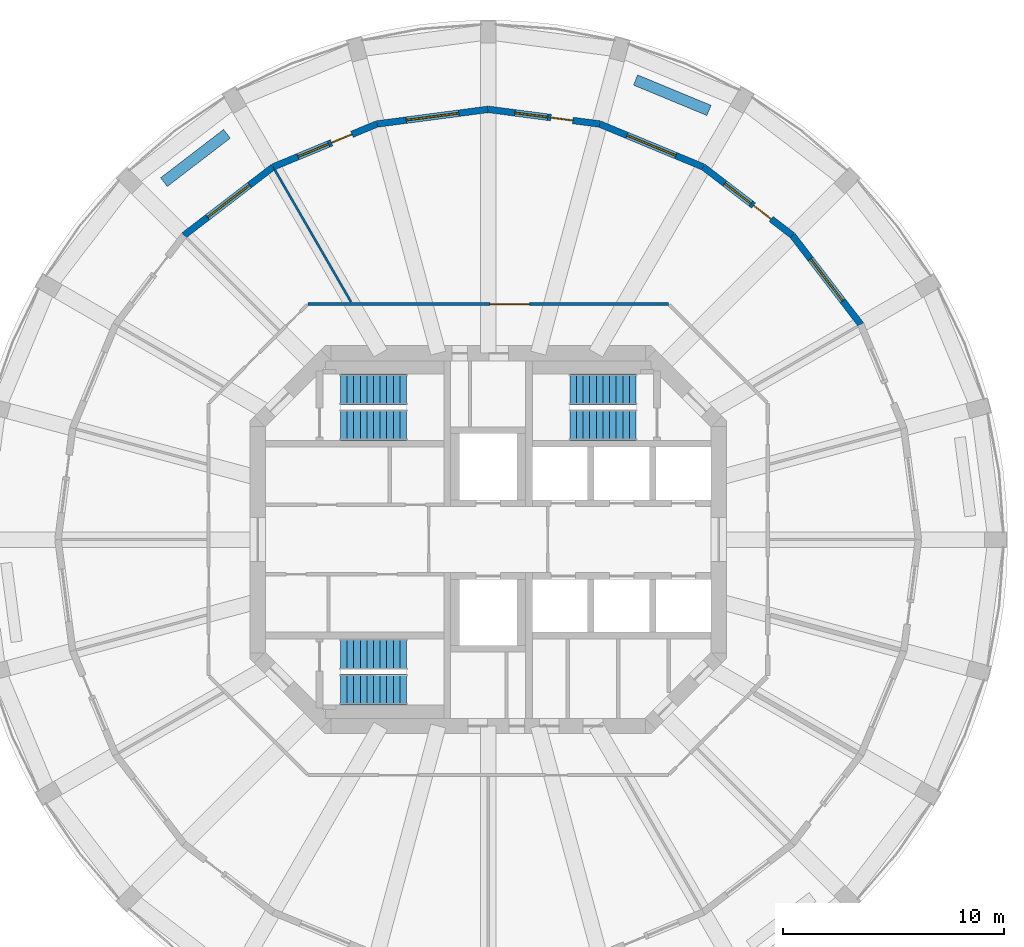
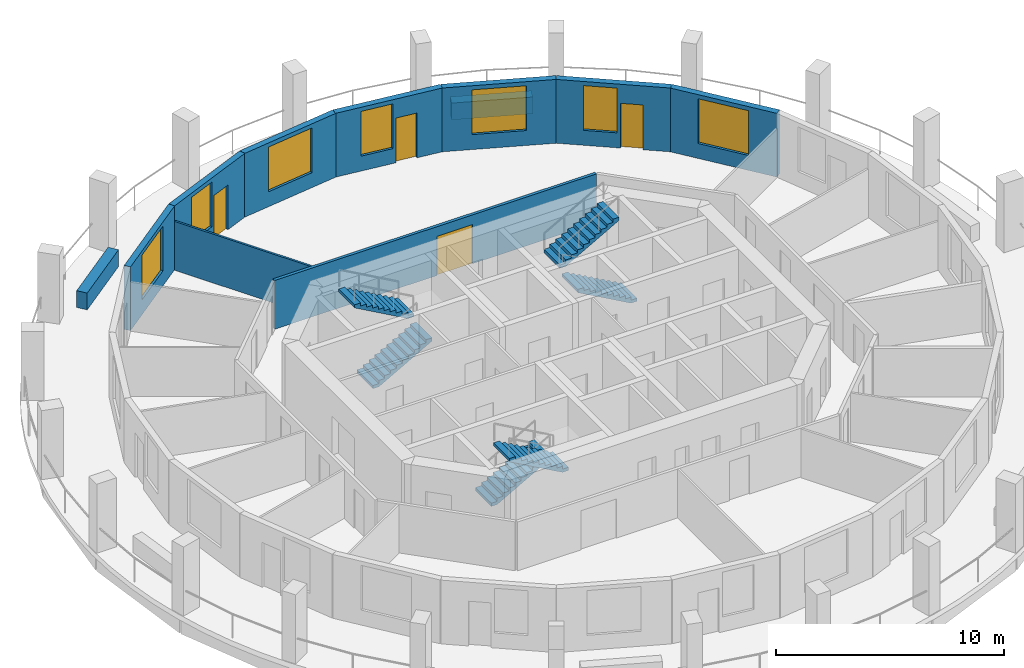
# One storey, part 6 of 8: 11 walls, 7 windows, 6 stair flights, 4 doors, 11 openings, 3 elements without a shape of their own.
"""IFC4 building model written with IfcOpenShell, lengths in metres."""

from ifc_helpers import new_model, si_unit, direction, frame, frame_2d, origin, place, context, subcontext, project, spatial, polyline, rectangle, outline, extrude, material, layer, layer_set, type_object, element, fill, aggregate, save


model = new_model("IFC4")

# Units and contexts
model_context = context("Model", 3, precision=1e-05, world=origin(), true_north=direction((0.0, 1.0)))
body_context = subcontext(model_context, "Body", "Model", "MODEL_VIEW")
ifc_project = project(units=[si_unit("LENGTHUNIT", "METRE"), si_unit("AREAUNIT", "SQUARE_METRE"), si_unit("VOLUMEUNIT", "CUBIC_METRE"), si_unit("PLANEANGLEUNIT", "RADIAN"), si_unit("MASSUNIT", "GRAM", prefix="KILO")], contexts=[model_context])

# Site, building, storey
site_placement = place(None, origin())
site = spatial("IfcSite", under=ifc_project, at=site_placement, CompositionType="ELEMENT")
building_placement = place(site_placement, origin())
building = spatial("IfcBuilding", under=site, at=building_placement, Name="Torre Triforio", CompositionType="ELEMENT")
storey_placement = place(building_placement, frame((0.0, 0.0, 200.199951171875)))
storey = spatial("IfcBuildingStorey", under=building, at=storey_placement, Name="L45", CompositionType="ELEMENT", Elevation=200.199951171875)

# Wall, opening, door
ifc_material_1 = material(Name="Plasterboard on metal studs")
ifc_layer_1 = layer(ifc_material_1, 0.14990234375)
ifc_layer_set_1 = layer_set([ifc_layer_1], Name="Plasterboard on metal studs")
wall_type_1 = type_object("IfcWallType", Name="Corridor and tenancy wall 150 mm EI 60", PredefinedType="PARTITIONING", material=ifc_layer_set_1)
wall_1_placement = place(storey_placement, frame((-8.16650390625, 10.675048828125, 0.0), z_axis=(0.0, 0.0, 1.0), x_axis=(1.0, 0.0, 0.0)))
wall_1 = element("IfcWall", 1, at=wall_1_placement, inside=storey, type_object=wall_type_1, Name="Partition 7", PredefinedType="PARTITIONING", context=body_context, shape_type="SweptSolid", body=[
    extrude(rectangle(XDim=16.3330078125, YDim=0.14990234375, at=frame_2d((8.16650390625, 0.0))), origin(), (0.0, 0.0, 1.0), 2.6201171875),
])
opening_1_placement = place(wall_1_placement, frame((8.239501953125, 0.0, 0.0)))
opening_1 = element("IfcOpeningElement", 2, at=opening_1_placement, cuts=wall_1, Name="Opening O4-01", PredefinedType="OPENING", context=body_context, shape_type="SweptSolid", body=[
    extrude(rectangle(XDim=1.800048828125, YDim=2.10009765625, at=frame_2d((0.89990234375, 1.050048828125))), frame((0.0, 0.0849609375, 0.0), z_axis=(0.0, -1.0, 0.0), x_axis=(1.0, 0.0, 0.0)), (0.0, 0.0, 1.0), 0.169921875),
])
ifc_material_2 = material(Name="Timber", Category="wood")
door_type_1 = type_object("IfcDoorType", Name="Door 1800 x 2100 double leaf EI 30", OperationType="DOUBLE_DOOR_SINGLE_SWING", PredefinedType="DOOR", material=ifc_material_2)
door_1_placement = place(opening_1_placement, origin())
door_1 = element("IfcDoor", 3, at=door_1_placement, inside=storey, type_object=door_type_1, Name="Door O4-01", OperationType="DOUBLE_DOOR_SINGLE_SWING", OverallHeight=2.10009765625, OverallWidth=1.800048828125, PredefinedType="DOOR", context=body_context, shape_type="SweptSolid", body=[
    extrude(rectangle(XDim=1.800048828125, YDim=2.10009765625, at=frame_2d((0.89990234375, 1.050048828125))), frame((0.0, 0.02490234375, 0.0), z_axis=(0.0, -1.0, 0.0), x_axis=(1.0, 0.0, 0.0)), (0.0, 0.0, 1.0), 0.050048828125),
])
fill(opening_1, door_1)

# Walls
ifc_layer_2 = layer(ifc_material_1, 0.10009765625)
ifc_layer_set_2 = layer_set([ifc_layer_2], Name="Plasterboard on metal studs")
wall_type_2 = type_object("IfcWallType", Name="Partition 100 mm board on metal studs", PredefinedType="PARTITIONING", material=ifc_layer_set_2)
wall_2_placement = place(storey_placement, frame((-6.220703125, 10.774658203125, 0.0), z_axis=(0.0, 0.0, 1.0), x_axis=(-0.500015661236, 0.866016361577, 0.0)))
element("IfcWall", 4, at=wall_2_placement, inside=storey, type_object=wall_type_2, Name="Partition 14", PredefinedType="PARTITIONING", context=body_context, shape_type="SweptSolid", body=[
    extrude(rectangle(XDim=6.895263671875, YDim=0.10009765625, at=frame_2d((3.44775390625, 0.0))), origin(), (0.0, 0.0, 1.0), 2.6201171875),
])
ifc_material_3 = material(Name="Limestone cladding", Category="masonry")
ifc_layer_3 = layer(ifc_material_3, 0.10009765625)
ifc_material_4 = material(Name="Concrete C40", Category="concrete")
ifc_layer_4 = layer(ifc_material_4, 0.39990234375)
ifc_layer_set_3 = layer_set([ifc_layer_3, ifc_layer_4], Name="Limestone cladding / Concrete C40")
wall_type_3 = type_object("IfcWallType", Name="Planter wall 500", PredefinedType="PARAPET", material=ifc_layer_set_3)
wall_3_placement = place(storey_placement, frame((10.005615234375, 19.45166015625, 0.0), z_axis=(0.0, 0.0, 1.0), x_axis=(-0.923885420167, 0.382669217998, 0.0)))
element("IfcWall", 5, at=wall_3_placement, inside=storey, type_object=wall_type_3, Name="Planter L45 bay 05", PredefinedType="PARAPET", context=body_context, shape_type="SweptSolid", body=[
    extrude(rectangle(XDim=3.60009765625, YDim=0.5, at=frame_2d((1.800048828125, 0.0))), origin(), (0.0, 0.0, 1.0), 0.900146484375),
])
wall_4_placement = place(storey_placement, frame((-11.843017578125, 18.390869140625, 0.0), z_axis=(0.0, 0.0, 1.0), x_axis=(-0.793326845617, -0.608795955984, 0.0)))
element("IfcWall", 6, at=wall_4_placement, inside=storey, type_object=wall_type_3, Name="Planter L45 bay 09", PredefinedType="PARAPET", context=body_context, shape_type="SweptSolid", body=[
    extrude(rectangle(XDim=3.599853515625, YDim=0.5, at=frame_2d((1.7998046875, 0.0))), origin(), (0.0, 0.0, 1.0), 0.900146484375),
])

# Wall, opening, window
ifc_layer_5 = layer(ifc_material_3, 0.10009765625)
ifc_layer_6 = layer(ifc_material_4, 0.199951171875)
ifc_layer_set_4 = layer_set([ifc_layer_5, ifc_layer_6], Name="Limestone cladding / Concrete C40")
wall_type_4 = type_object("IfcWallType", Name="Stone-faced composite wall 300", PredefinedType="STANDARD", material=ifc_layer_set_4)
wall_5_placement = place(storey_placement, frame((16.887451171875, 9.75, 0.0), z_axis=(0.0, 0.0, 1.0), x_axis=(-0.608757714995, 0.79335619014, 0.0)))
wall_5 = element("IfcWall", 7, at=wall_5_placement, inside=storey, type_object=wall_type_4, Name="External wall L45 bay 03", PredefinedType="STANDARD", context=body_context, shape_type="SweptSolid", body=[
    extrude(rectangle(XDim=5.090576171875, YDim=0.300048828125, at=frame_2d((2.54541015625, 0.0))), origin(), (0.0, 0.0, 1.0), 3.420166015625),
])
opening_2_placement = place(wall_5_placement, frame((1.34521484375, 0.0, 0.800048828125)))
opening_2 = element("IfcOpeningElement", 8, at=opening_2_placement, cuts=wall_5, Name="Opening O4-W03", PredefinedType="OPENING", context=body_context, shape_type="SweptSolid", body=[
    extrude(rectangle(XDim=2.39990234375, YDim=2.39990234375, at=frame_2d((1.199951171875, 1.199951171875))), frame((0.0, 0.159912109375, 0.0), z_axis=(0.0, -1.0, 0.0), x_axis=(1.0, 0.0, 0.0)), (0.0, 0.0, 1.0), 0.320068359375),
])
ifc_material_5 = material(Name="Aluminium frame with clear double glazing", Category="aluminium")
window_type_1 = type_object("IfcWindowType", Name="Punched window 2400 x 2400", PartitioningType="DOUBLE_PANEL_VERTICAL", PredefinedType="WINDOW", material=ifc_material_5)
window_1_placement = place(opening_2_placement, origin())
window_1 = element("IfcWindow", 9, at=window_1_placement, inside=storey, type_object=window_type_1, Name="Window EWN4 L45 bay 03", OverallHeight=2.39990234375, OverallWidth=2.39990234375, PartitioningType="SINGLE_PANEL", PredefinedType="WINDOW", context=body_context, shape_type="SweptSolid", body=[
    extrude(rectangle(XDim=2.39990234375, YDim=2.39990234375, at=frame_2d((1.199951171875, 1.199951171875))), frame((0.0, 0.030029296875, 0.0), z_axis=(0.0, -1.0, 0.0), x_axis=(1.0, 0.0, 0.0)), (0.0, 0.0, 1.0), 0.06005859375),
])
fill(opening_2, window_1)

# Wall, openings, door, window
wall_6_placement = place(storey_placement, frame((13.78857421875, 13.78857421875, 0.0), z_axis=(0.0, 0.0, 1.0), x_axis=(-0.79335619014, 0.608757714995, 0.0)))
wall_6 = element("IfcWall", 10, at=wall_6_placement, inside=storey, type_object=wall_type_4, Name="External wall L45 bay 04", PredefinedType="STANDARD", context=body_context, shape_type="SweptSolid", body=[
    extrude(rectangle(XDim=5.090576171875, YDim=0.300048828125, at=frame_2d((2.54541015625, 0.0))), origin(), (0.0, 0.0, 1.0), 3.420166015625),
])
opening_3_placement = place(wall_6_placement, frame((1.22021484375, 0.0, 0.0)))
opening_3 = element("IfcOpeningElement", 11, at=opening_3_placement, cuts=wall_6, Name="Opening O4-D04", PredefinedType="OPENING", context=body_context, shape_type="SweptSolid", body=[
    extrude(rectangle(XDim=1.0, YDim=2.39990234375, at=frame_2d((0.5, 1.199951171875))), frame((0.0, 0.159912109375, 0.0), z_axis=(0.0, -1.0, 0.0), x_axis=(1.0, 0.0, 0.0)), (0.0, 0.0, 1.0), 0.320068359375),
])
opening_4_placement = place(wall_6_placement, frame((2.370361328125, 0.0, 0.800048828125)))
opening_4 = element("IfcOpeningElement", 12, at=opening_4_placement, cuts=wall_6, Name="Opening O4-W04A", PredefinedType="OPENING", context=body_context, shape_type="SweptSolid", body=[
    extrude(rectangle(XDim=1.5, YDim=2.39990234375, at=frame_2d((0.75, 1.199951171875))), frame((0.0, 0.159912109375, 0.0), z_axis=(0.0, -1.0, 0.0), x_axis=(1.0, 0.0, 0.0)), (0.0, 0.0, 1.0), 0.320068359375),
])
door_type_2 = type_object("IfcDoorType", Name="Loggia door 1000 x 2400", OperationType="NOTDEFINED", PredefinedType="DOOR", material=ifc_material_5)
door_2_placement = place(opening_3_placement, origin())
door_2 = element("IfcDoor", 13, at=door_2_placement, inside=storey, type_object=door_type_2, Name="Loggia door L45 bay 04", OperationType="SINGLE_SWING_LEFT", OverallHeight=2.39990234375, OverallWidth=1.0, PredefinedType="DOOR", context=body_context, shape_type="SweptSolid", body=[
    extrude(rectangle(XDim=1.0, YDim=2.39990234375, at=frame_2d((0.5, 1.199951171875))), frame((0.0, 0.02490234375, 0.0), z_axis=(0.0, -1.0, 0.0), x_axis=(1.0, 0.0, 0.0)), (0.0, 0.0, 1.0), 0.050048828125),
])
fill(opening_3, door_2)
window_type_2 = type_object("IfcWindowType", Name="Side window 1500 x 2400", PartitioningType="SINGLE_PANEL", PredefinedType="WINDOW", material=ifc_material_5)
window_2_placement = place(opening_4_placement, origin())
window_2 = element("IfcWindow", 14, at=window_2_placement, inside=storey, type_object=window_type_2, Name="Side window EWN14 L45 bay 04", OverallHeight=2.39990234375, OverallWidth=1.5, PartitioningType="SINGLE_PANEL", PredefinedType="WINDOW", context=body_context, shape_type="SweptSolid", body=[
    extrude(rectangle(XDim=1.5, YDim=2.39990234375, at=frame_2d((0.75, 1.199951171875))), frame((0.0, 0.030029296875, 0.0), z_axis=(0.0, -1.0, 0.0), x_axis=(1.0, 0.0, 0.0)), (0.0, 0.0, 1.0), 0.06005859375),
])
fill(opening_4, window_2)

# Wall, opening, window
wall_7_placement = place(storey_placement, frame((9.75, 16.887451171875, 0.0), z_axis=(0.0, 0.0, 1.0), x_axis=(-0.923862504675, 0.382724538613, 0.0)))
wall_7 = element("IfcWall", 15, at=wall_7_placement, inside=storey, type_object=wall_type_4, Name="External wall L45 bay 05", PredefinedType="STANDARD", context=body_context, shape_type="SweptSolid", body=[
    extrude(rectangle(XDim=5.090576171875, YDim=0.300048828125, at=frame_2d((2.54541015625, 0.0))), origin(), (0.0, 0.0, 1.0), 3.420166015625),
])
opening_5_placement = place(wall_7_placement, frame((1.34521484375, 0.0, 0.800048828125)))
opening_5 = element("IfcOpeningElement", 16, at=opening_5_placement, cuts=wall_7, Name="Opening O4-W05", PredefinedType="OPENING", context=body_context, shape_type="SweptSolid", body=[
    extrude(rectangle(XDim=2.39990234375, YDim=2.39990234375, at=frame_2d((1.199951171875, 1.199951171875))), frame((0.0, 0.159912109375, 0.0), z_axis=(0.0, -1.0, 0.0), x_axis=(1.0, 0.0, 0.0)), (0.0, 0.0, 1.0), 0.320068359375),
])
window_3_placement = place(opening_5_placement, origin())
window_3 = element("IfcWindow", 17, at=window_3_placement, inside=storey, type_object=window_type_1, Name="Window EWN4 L45 bay 05", OverallHeight=2.39990234375, OverallWidth=2.39990234375, PartitioningType="SINGLE_PANEL", PredefinedType="WINDOW", context=body_context, shape_type="SweptSolid", body=[
    extrude(rectangle(XDim=2.39990234375, YDim=2.39990234375, at=frame_2d((1.199951171875, 1.199951171875))), frame((0.0, 0.030029296875, 0.0), z_axis=(0.0, -1.0, 0.0), x_axis=(1.0, 0.0, 0.0)), (0.0, 0.0, 1.0), 0.06005859375),
])
fill(opening_5, window_3)

# Wall, openings, door, window
wall_8_placement = place(storey_placement, frame((5.047119140625, 18.835693359375, 0.0), z_axis=(0.0, 0.0, 1.0), x_axis=(-0.99144890792, 0.130495451964, 0.0)))
wall_8 = element("IfcWall", 18, at=wall_8_placement, inside=storey, type_object=wall_type_4, Name="External wall L45 bay 06", PredefinedType="STANDARD", context=body_context, shape_type="SweptSolid", body=[
    extrude(rectangle(XDim=5.090576171875, YDim=0.300048828125, at=frame_2d((2.54541015625, 0.0))), origin(), (0.0, 0.0, 1.0), 3.420166015625),
])
opening_6_placement = place(wall_8_placement, frame((1.22021484375, 0.0, 0.0)))
opening_6 = element("IfcOpeningElement", 19, at=opening_6_placement, cuts=wall_8, Name="Opening O4-D06", PredefinedType="OPENING", context=body_context, shape_type="SweptSolid", body=[
    extrude(rectangle(XDim=1.0, YDim=2.39990234375, at=frame_2d((0.5, 1.199951171875))), frame((0.0, 0.159912109375, 0.0), z_axis=(0.0, -1.0, 0.0), x_axis=(1.0, 0.0, 0.0)), (0.0, 0.0, 1.0), 0.320068359375),
])
opening_7_placement = place(wall_8_placement, frame((2.370361328125, 0.0, 0.800048828125)))
opening_7 = element("IfcOpeningElement", 20, at=opening_7_placement, cuts=wall_8, Name="Opening O4-W06A", PredefinedType="OPENING", context=body_context, shape_type="SweptSolid", body=[
    extrude(rectangle(XDim=1.5, YDim=2.39990234375, at=frame_2d((0.75, 1.199951171875))), frame((0.0, 0.159912109375, 0.0), z_axis=(0.0, -1.0, 0.0), x_axis=(1.0, 0.0, 0.0)), (0.0, 0.0, 1.0), 0.320068359375),
])
door_3_placement = place(opening_6_placement, origin())
door_3 = element("IfcDoor", 21, at=door_3_placement, inside=storey, type_object=door_type_2, Name="Loggia door L45 bay 06", OperationType="SINGLE_SWING_LEFT", OverallHeight=2.39990234375, OverallWidth=1.0, PredefinedType="DOOR", context=body_context, shape_type="SweptSolid", body=[
    extrude(rectangle(XDim=1.0, YDim=2.39990234375, at=frame_2d((0.5, 1.199951171875))), frame((0.0, 0.02490234375, 0.0), z_axis=(0.0, -1.0, 0.0), x_axis=(1.0, 0.0, 0.0)), (0.0, 0.0, 1.0), 0.050048828125),
])
fill(opening_6, door_3)
window_4_placement = place(opening_7_placement, origin())
window_4 = element("IfcWindow", 22, at=window_4_placement, inside=storey, type_object=window_type_2, Name="Side window EWN14 L45 bay 06", OverallHeight=2.39990234375, OverallWidth=1.5, PartitioningType="SINGLE_PANEL", PredefinedType="WINDOW", context=body_context, shape_type="SweptSolid", body=[
    extrude(rectangle(XDim=1.5, YDim=2.39990234375, at=frame_2d((0.75, 1.199951171875))), frame((0.0, 0.030029296875, 0.0), z_axis=(0.0, -1.0, 0.0), x_axis=(1.0, 0.0, 0.0)), (0.0, 0.0, 1.0), 0.06005859375),
])
fill(opening_7, window_4)

# Wall, opening, window
wall_9_placement = place(storey_placement, frame((0.0, 19.5, 0.0), z_axis=(0.0, 0.0, 1.0), x_axis=(-0.99144890792, -0.130495451964, 0.0)))
wall_9 = element("IfcWall", 23, at=wall_9_placement, inside=storey, type_object=wall_type_4, Name="External wall L45 bay 07", PredefinedType="STANDARD", context=body_context, shape_type="SweptSolid", body=[
    extrude(rectangle(XDim=5.090576171875, YDim=0.300048828125, at=frame_2d((2.54541015625, 0.0))), origin(), (0.0, 0.0, 1.0), 3.420166015625),
])
opening_8_placement = place(wall_9_placement, frame((1.34521484375, 0.0, 0.800048828125)))
opening_8 = element("IfcOpeningElement", 24, at=opening_8_placement, cuts=wall_9, Name="Opening O4-W07", PredefinedType="OPENING", context=body_context, shape_type="SweptSolid", body=[
    extrude(rectangle(XDim=2.39990234375, YDim=2.39990234375, at=frame_2d((1.199951171875, 1.199951171875))), frame((0.0, 0.159912109375, 0.0), z_axis=(0.0, -1.0, 0.0), x_axis=(1.0, 0.0, 0.0)), (0.0, 0.0, 1.0), 0.320068359375),
])
window_5_placement = place(opening_8_placement, origin())
window_5 = element("IfcWindow", 25, at=window_5_placement, inside=storey, type_object=window_type_1, Name="Window EWN4 L45 bay 07", OverallHeight=2.39990234375, OverallWidth=2.39990234375, PartitioningType="SINGLE_PANEL", PredefinedType="WINDOW", context=body_context, shape_type="SweptSolid", body=[
    extrude(rectangle(XDim=2.39990234375, YDim=2.39990234375, at=frame_2d((1.199951171875, 1.199951171875))), frame((0.0, 0.030029296875, 0.0), z_axis=(0.0, -1.0, 0.0), x_axis=(1.0, 0.0, 0.0)), (0.0, 0.0, 1.0), 0.06005859375),
])
fill(opening_8, window_5)

# Wall, openings, door, window
wall_10_placement = place(storey_placement, frame((-5.047119140625, 18.835693359375, 0.0), z_axis=(0.0, 0.0, 1.0), x_axis=(-0.923862504675, -0.382724538613, 0.0)))
wall_10 = element("IfcWall", 26, at=wall_10_placement, inside=storey, type_object=wall_type_4, Name="External wall L45 bay 08", PredefinedType="STANDARD", context=body_context, shape_type="SweptSolid", body=[
    extrude(rectangle(XDim=5.090576171875, YDim=0.300048828125, at=frame_2d((2.54541015625, 0.0))), origin(), (0.0, 0.0, 1.0), 3.420166015625),
])
opening_9_placement = place(wall_10_placement, frame((1.22021484375, 0.0, 0.0)))
opening_9 = element("IfcOpeningElement", 27, at=opening_9_placement, cuts=wall_10, Name="Opening O4-D08", PredefinedType="OPENING", context=body_context, shape_type="SweptSolid", body=[
    extrude(rectangle(XDim=1.0, YDim=2.39990234375, at=frame_2d((0.5, 1.199951171875))), frame((0.0, 0.159912109375, 0.0), z_axis=(0.0, -1.0, 0.0), x_axis=(1.0, 0.0, 0.0)), (0.0, 0.0, 1.0), 0.320068359375),
])
opening_10_placement = place(wall_10_placement, frame((2.370361328125, 0.0, 0.800048828125)))
opening_10 = element("IfcOpeningElement", 28, at=opening_10_placement, cuts=wall_10, Name="Opening O4-W08A", PredefinedType="OPENING", context=body_context, shape_type="SweptSolid", body=[
    extrude(rectangle(XDim=1.5, YDim=2.39990234375, at=frame_2d((0.75, 1.199951171875))), frame((0.0, 0.159912109375, 0.0), z_axis=(0.0, -1.0, 0.0), x_axis=(1.0, 0.0, 0.0)), (0.0, 0.0, 1.0), 0.320068359375),
])
door_4_placement = place(opening_9_placement, origin())
door_4 = element("IfcDoor", 29, at=door_4_placement, inside=storey, type_object=door_type_2, Name="Loggia door L45 bay 08", OperationType="SINGLE_SWING_LEFT", OverallHeight=2.39990234375, OverallWidth=1.0, PredefinedType="DOOR", context=body_context, shape_type="SweptSolid", body=[
    extrude(rectangle(XDim=1.0, YDim=2.39990234375, at=frame_2d((0.5, 1.199951171875))), frame((0.0, 0.02490234375, 0.0), z_axis=(0.0, -1.0, 0.0), x_axis=(1.0, 0.0, 0.0)), (0.0, 0.0, 1.0), 0.050048828125),
])
fill(opening_9, door_4)
window_6_placement = place(opening_10_placement, origin())
window_6 = element("IfcWindow", 30, at=window_6_placement, inside=storey, type_object=window_type_2, Name="Side window EWN14 L45 bay 08", OverallHeight=2.39990234375, OverallWidth=1.5, PartitioningType="SINGLE_PANEL", PredefinedType="WINDOW", context=body_context, shape_type="SweptSolid", body=[
    extrude(rectangle(XDim=1.5, YDim=2.39990234375, at=frame_2d((0.75, 1.199951171875))), frame((0.0, 0.030029296875, 0.0), z_axis=(0.0, -1.0, 0.0), x_axis=(1.0, 0.0, 0.0)), (0.0, 0.0, 1.0), 0.06005859375),
])
fill(opening_10, window_6)

# Wall, opening, window
wall_11_placement = place(storey_placement, frame((-9.75, 16.887451171875, 0.0), z_axis=(0.0, 0.0, 1.0), x_axis=(-0.79335619014, -0.608757714995, 0.0)))
wall_11 = element("IfcWall", 31, at=wall_11_placement, inside=storey, type_object=wall_type_4, Name="External wall L45 bay 09", PredefinedType="STANDARD", context=body_context, shape_type="SweptSolid", body=[
    extrude(rectangle(XDim=5.090576171875, YDim=0.300048828125, at=frame_2d((2.54541015625, 0.0))), origin(), (0.0, 0.0, 1.0), 3.420166015625),
])
opening_11_placement = place(wall_11_placement, frame((1.34521484375, 0.0, 0.800048828125)))
opening_11 = element("IfcOpeningElement", 32, at=opening_11_placement, cuts=wall_11, Name="Opening O4-W09", PredefinedType="OPENING", context=body_context, shape_type="SweptSolid", body=[
    extrude(rectangle(XDim=2.39990234375, YDim=2.39990234375, at=frame_2d((1.199951171875, 1.199951171875))), frame((0.0, 0.159912109375, 0.0), z_axis=(0.0, -1.0, 0.0), x_axis=(1.0, 0.0, 0.0)), (0.0, 0.0, 1.0), 0.320068359375),
])
window_7_placement = place(opening_11_placement, origin())
window_7 = element("IfcWindow", 33, at=window_7_placement, inside=storey, type_object=window_type_1, Name="Window EWN4 L45 bay 09", OverallHeight=2.39990234375, OverallWidth=2.39990234375, PartitioningType="SINGLE_PANEL", PredefinedType="WINDOW", context=body_context, shape_type="SweptSolid", body=[
    extrude(rectangle(XDim=2.39990234375, YDim=2.39990234375, at=frame_2d((1.199951171875, 1.199951171875))), frame((0.0, 0.030029296875, 0.0), z_axis=(0.0, -1.0, 0.0), x_axis=(1.0, 0.0, 0.0)), (0.0, 0.0, 1.0), 0.06005859375),
])
fill(opening_11, window_7)

# Stair, stair flights
stair_type = type_object("IfcStairType", Name="STAIR HALF-TURN", PredefinedType="HALF_TURN_STAIR", material=ifc_material_4)
stair_1_placement = place(storey_placement, origin())
stair_1 = element("IfcStair", 34, at=stair_1_placement, inside=storey, type_object=stair_type, Name="Exit stair 1", PredefinedType="HALF_TURN_STAIR")
stair_flight_type = type_object("IfcStairFlightType", Name="STAIR FLIGHT 1400", PredefinedType="STRAIGHT", material=ifc_material_4)
stair_flight_1_placement = place(storey_placement, frame((-6.699951171875, 5.199951171875, 0.0), z_axis=(0.0, 0.0, 1.0), x_axis=(1.0, 0.0, 0.0)))
stair_flight_1 = element("IfcStairFlight", 35, at=stair_flight_1_placement, type_object=stair_flight_type, Name="ST1 flight 1", NumberOfRisers=11, NumberOfTreads=10, PredefinedType="STRAIGHT", RiserHeight=0.168181818, TreadLength=0.3, context=body_context, shape_type="SweptSolid", body=[
    extrude(outline(polyline([(0.0, 0.0), (0.0, 0.168212890625), (0.300048828125, 0.168212890625), (0.300048828125, 0.33642578125), (0.60009765625, 0.33642578125), (0.60009765625, 0.504638671875), (0.89990234375, 0.504638671875), (0.89990234375, 0.672607421875), (1.199951171875, 0.672607421875), (1.199951171875, 0.8408203125), (1.5, 0.8408203125), (1.5, 1.009033203125), (1.800048828125, 1.009033203125), (1.800048828125, 1.17724609375), (2.10009765625, 1.17724609375), (2.10009765625, 1.345458984375), (2.39990234375, 1.345458984375), (2.39990234375, 1.513671875), (2.699951171875, 1.513671875), (2.699951171875, 1.681884765625), (3.0, 1.681884765625), (3.0, 1.85009765625), (3.0, 1.510009765625), (0.306640625, 0.0), (0.0, 0.0)])), frame((0.0, 0.699951171875, 0.0), z_axis=(0.0, -1.0, 0.0), x_axis=(1.0, 0.0, 0.0)), (0.0, 0.0, 1.0), 1.39990234375),
])
stair_flight_2_placement = place(storey_placement, frame((-3.699951171875, 6.800048828125, 1.85009765625), z_axis=(0.0, 0.0, 1.0), x_axis=(-1.0, 0.0, 0.0)))
stair_flight_2 = element("IfcStairFlight", 36, at=stair_flight_2_placement, type_object=stair_flight_type, Name="ST1 flight 2", NumberOfRisers=11, NumberOfTreads=10, PredefinedType="STRAIGHT", RiserHeight=0.168181818, TreadLength=0.3, context=body_context, shape_type="SweptSolid", body=[
    extrude(outline(polyline([(0.0, 0.0), (0.0, 0.168212890625), (0.300048828125, 0.168212890625), (0.300048828125, 0.33642578125), (0.60009765625, 0.33642578125), (0.60009765625, 0.504638671875), (0.89990234375, 0.504638671875), (0.89990234375, 0.672607421875), (1.199951171875, 0.672607421875), (1.199951171875, 0.8408203125), (1.5, 0.8408203125), (1.5, 1.009033203125), (1.800048828125, 1.009033203125), (1.800048828125, 1.17724609375), (2.10009765625, 1.17724609375), (2.10009765625, 1.345458984375), (2.39990234375, 1.345458984375), (2.39990234375, 1.513671875), (2.699951171875, 1.513671875), (2.699951171875, 1.681884765625), (3.0, 1.681884765625), (3.0, 1.85009765625), (3.0, 1.510009765625), (0.306640625, 0.0), (0.0, 0.0)])), frame((0.0, 0.699951171875, 0.0), z_axis=(0.0, -1.0, 0.0), x_axis=(1.0, 0.0, 0.0)), (0.0, 0.0, 1.0), 1.39990234375),
])
aggregate(stair_1, [stair_flight_1, stair_flight_2])

stair_2_placement = place(storey_placement, origin())
stair_2 = element("IfcStair", 37, at=stair_2_placement, inside=storey, type_object=stair_type, Name="Exit stair 2", PredefinedType="HALF_TURN_STAIR")
stair_flight_3_placement = place(storey_placement, frame((6.699951171875, 5.199951171875, 0.0), z_axis=(0.0, 0.0, 1.0), x_axis=(-1.0, 0.0, 0.0)))
stair_flight_3 = element("IfcStairFlight", 38, at=stair_flight_3_placement, type_object=stair_flight_type, Name="ST2 flight 1", NumberOfRisers=11, NumberOfTreads=10, PredefinedType="STRAIGHT", RiserHeight=0.168181818, TreadLength=0.3, context=body_context, shape_type="SweptSolid", body=[
    extrude(outline(polyline([(0.0, 0.0), (0.0, 0.168212890625), (0.300048828125, 0.168212890625), (0.300048828125, 0.33642578125), (0.60009765625, 0.33642578125), (0.60009765625, 0.504638671875), (0.89990234375, 0.504638671875), (0.89990234375, 0.672607421875), (1.199951171875, 0.672607421875), (1.199951171875, 0.8408203125), (1.5, 0.8408203125), (1.5, 1.009033203125), (1.800048828125, 1.009033203125), (1.800048828125, 1.17724609375), (2.10009765625, 1.17724609375), (2.10009765625, 1.345458984375), (2.39990234375, 1.345458984375), (2.39990234375, 1.513671875), (2.699951171875, 1.513671875), (2.699951171875, 1.681884765625), (3.0, 1.681884765625), (3.0, 1.85009765625), (3.0, 1.510009765625), (0.306640625, 0.0), (0.0, 0.0)])), frame((0.0, 0.699951171875, 0.0), z_axis=(0.0, -1.0, 0.0), x_axis=(1.0, 0.0, 0.0)), (0.0, 0.0, 1.0), 1.39990234375),
])
stair_flight_4_placement = place(storey_placement, frame((3.699951171875, 6.800048828125, 1.85009765625), z_axis=(0.0, 0.0, 1.0), x_axis=(1.0, 0.0, 0.0)))
stair_flight_4 = element("IfcStairFlight", 39, at=stair_flight_4_placement, type_object=stair_flight_type, Name="ST2 flight 2", NumberOfRisers=11, NumberOfTreads=10, PredefinedType="STRAIGHT", RiserHeight=0.168181818, TreadLength=0.3, context=body_context, shape_type="SweptSolid", body=[
    extrude(outline(polyline([(0.0, 0.0), (0.0, 0.168212890625), (0.300048828125, 0.168212890625), (0.300048828125, 0.33642578125), (0.60009765625, 0.33642578125), (0.60009765625, 0.504638671875), (0.89990234375, 0.504638671875), (0.89990234375, 0.672607421875), (1.199951171875, 0.672607421875), (1.199951171875, 0.8408203125), (1.5, 0.8408203125), (1.5, 1.009033203125), (1.800048828125, 1.009033203125), (1.800048828125, 1.17724609375), (2.10009765625, 1.17724609375), (2.10009765625, 1.345458984375), (2.39990234375, 1.345458984375), (2.39990234375, 1.513671875), (2.699951171875, 1.513671875), (2.699951171875, 1.681884765625), (3.0, 1.681884765625), (3.0, 1.85009765625), (3.0, 1.510009765625), (0.306640625, 0.0), (0.0, 0.0)])), frame((0.0, 0.699951171875, 0.0), z_axis=(0.0, -1.0, 0.0), x_axis=(1.0, 0.0, 0.0)), (0.0, 0.0, 1.0), 1.39990234375),
])
aggregate(stair_2, [stair_flight_3, stair_flight_4])

stair_3_placement = place(storey_placement, origin())
stair_3 = element("IfcStair", 40, at=stair_3_placement, inside=storey, type_object=stair_type, Name="Exit stair 3", PredefinedType="HALF_TURN_STAIR")
stair_flight_5_placement = place(storey_placement, frame((-6.699951171875, -5.199951171875, 0.0), z_axis=(0.0, 0.0, 1.0), x_axis=(1.0, 0.0, 0.0)))
stair_flight_5 = element("IfcStairFlight", 41, at=stair_flight_5_placement, type_object=stair_flight_type, Name="ST3 flight 1", NumberOfRisers=11, NumberOfTreads=10, PredefinedType="STRAIGHT", RiserHeight=0.168181818, TreadLength=0.3, context=body_context, shape_type="SweptSolid", body=[
    extrude(outline(polyline([(0.0, 0.0), (0.0, 0.168212890625), (0.300048828125, 0.168212890625), (0.300048828125, 0.33642578125), (0.60009765625, 0.33642578125), (0.60009765625, 0.504638671875), (0.89990234375, 0.504638671875), (0.89990234375, 0.672607421875), (1.199951171875, 0.672607421875), (1.199951171875, 0.8408203125), (1.5, 0.8408203125), (1.5, 1.009033203125), (1.800048828125, 1.009033203125), (1.800048828125, 1.17724609375), (2.10009765625, 1.17724609375), (2.10009765625, 1.345458984375), (2.39990234375, 1.345458984375), (2.39990234375, 1.513671875), (2.699951171875, 1.513671875), (2.699951171875, 1.681884765625), (3.0, 1.681884765625), (3.0, 1.85009765625), (3.0, 1.510009765625), (0.306640625, 0.0), (0.0, 0.0)])), frame((0.0, 0.699951171875, 0.0), z_axis=(0.0, -1.0, 0.0), x_axis=(1.0, 0.0, 0.0)), (0.0, 0.0, 1.0), 1.39990234375),
])
stair_flight_6_placement = place(storey_placement, frame((-3.699951171875, -6.800048828125, 1.85009765625), z_axis=(0.0, 0.0, 1.0), x_axis=(-1.0, 0.0, 0.0)))
stair_flight_6 = element("IfcStairFlight", 42, at=stair_flight_6_placement, type_object=stair_flight_type, Name="ST3 flight 2", NumberOfRisers=11, NumberOfTreads=10, PredefinedType="STRAIGHT", RiserHeight=0.168181818, TreadLength=0.3, context=body_context, shape_type="SweptSolid", body=[
    extrude(outline(polyline([(0.0, 0.0), (0.0, 0.168212890625), (0.300048828125, 0.168212890625), (0.300048828125, 0.33642578125), (0.60009765625, 0.33642578125), (0.60009765625, 0.504638671875), (0.89990234375, 0.504638671875), (0.89990234375, 0.672607421875), (1.199951171875, 0.672607421875), (1.199951171875, 0.8408203125), (1.5, 0.8408203125), (1.5, 1.009033203125), (1.800048828125, 1.009033203125), (1.800048828125, 1.17724609375), (2.10009765625, 1.17724609375), (2.10009765625, 1.345458984375), (2.39990234375, 1.345458984375), (2.39990234375, 1.513671875), (2.699951171875, 1.513671875), (2.699951171875, 1.681884765625), (3.0, 1.681884765625), (3.0, 1.85009765625), (3.0, 1.510009765625), (0.306640625, 0.0), (0.0, 0.0)])), frame((0.0, 0.699951171875, 0.0), z_axis=(0.0, -1.0, 0.0), x_axis=(1.0, 0.0, 0.0)), (0.0, 0.0, 1.0), 1.39990234375),
])
aggregate(stair_3, [stair_flight_5, stair_flight_6])

save(model, "model.ifc")
